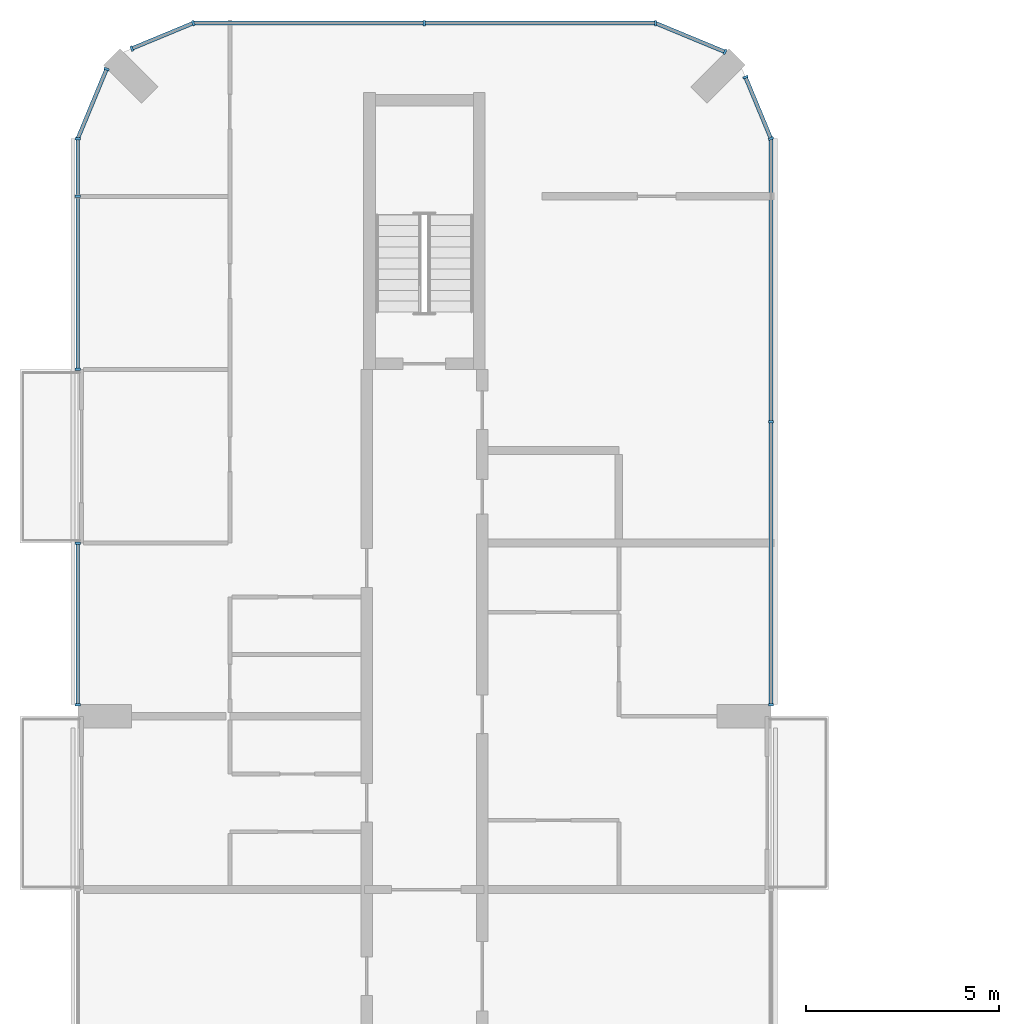
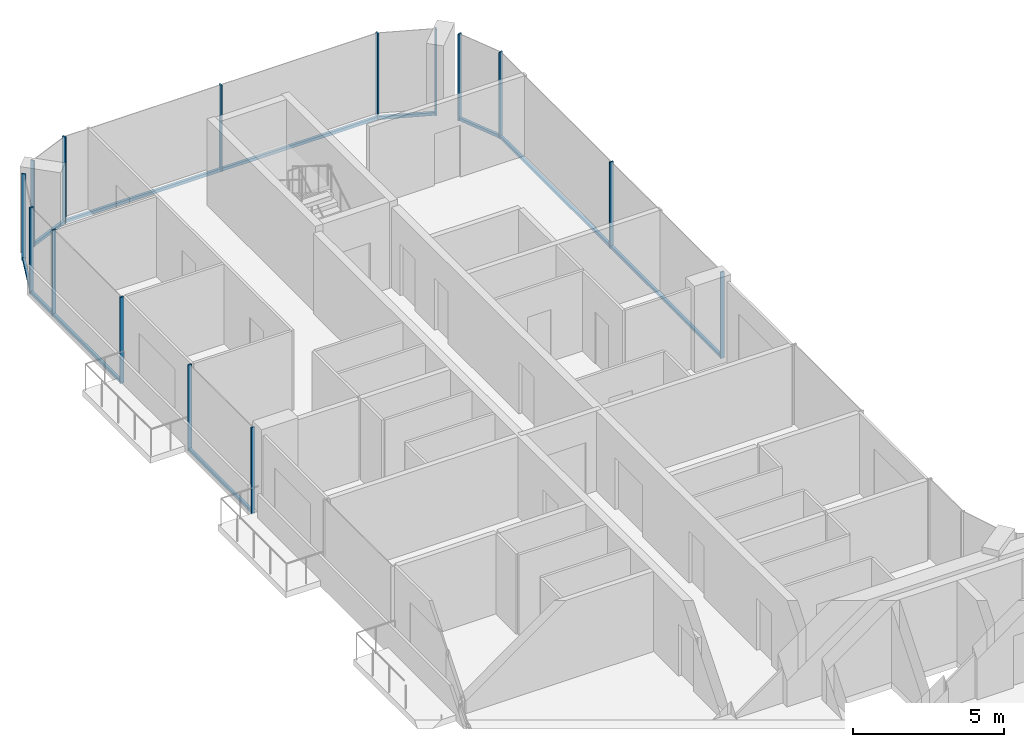
# One storey, part 7 of 16: 23 members, 8 elements without a shape of their own.
"""IFC4 building model written with IfcOpenShell, lengths in metres."""

from ifc_helpers import new_model, si_unit, direction, frame, origin, origin_2d, place, context, subcontext, project, spatial, rectangle, extrude, material, layer, layer_set, material_profile, profile_set, type_object, element, aggregate, save


model = new_model("IFC4")

# Units and contexts
model_context = context("Model", 3, precision=1e-05, world=origin(), true_north=direction((0.0, 1.0)))
body_context = subcontext(model_context, "Body", "Model", "MODEL_VIEW")
ifc_project = project(units=[si_unit("LENGTHUNIT", "METRE"), si_unit("AREAUNIT", "SQUARE_METRE"), si_unit("VOLUMEUNIT", "CUBIC_METRE"), si_unit("PLANEANGLEUNIT", "RADIAN"), si_unit("MASSUNIT", "GRAM", prefix="KILO")], contexts=[model_context])

# Site, building, storey
site_placement = place(None, origin())
site = spatial("IfcSite", under=ifc_project, at=site_placement, CompositionType="ELEMENT")
building_placement = place(site_placement, origin())
building = spatial("IfcBuilding", under=site, at=building_placement, Name="Plateau Cross Towers", CompositionType="ELEMENT")
storey_placement = place(building_placement, frame((0.0, 0.0, 163.89990234375)))
storey = spatial("IfcBuildingStorey", under=building, at=storey_placement, Name="L42", CompositionType="ELEMENT", Elevation=163.89990234375)

# Curtain wall, members
ifc_material_1 = material(Name="Dark low-iron glass", Category="glass")
ifc_layer = layer(ifc_material_1, 0.239990234375)
ifc_layer_set = layer_set([ifc_layer], Name="Dark low-iron glass")
curtain_wall_type = type_object("IfcCurtainWallType", Name="Curtain wall flush unitised CW-B", PredefinedType="NOTDEFINED", material=ifc_layer_set)
curtain_wall_1_placement = place(storey_placement, origin())
curtain_wall_1 = element("IfcCurtainWall", 1, at=curtain_wall_1_placement, inside=storey, type_object=curtain_wall_type, Name="ENV/A/L42/A180_363", PredefinedType="NOTDEFINED")
ifc_material_2 = material(Name="Black anodised aluminium", Category="aluminium")
ifc_material_profile_1 = material_profile(ifc_material_2, rectangle(XDim=0.06005859375, YDim=0.139892578125, at=origin_2d()), Name="MULLION 60x140")
ifc_profile_set_1 = profile_set([ifc_material_profile_1], Name="Black anodised aluminium")
member_type_1 = type_object("IfcMemberType", Name="Mullion 60x140 flush unitised", PredefinedType="MULLION", material=ifc_profile_set_1)
member_1_placement = place(storey_placement, frame((18.0, 36.300048828125, -0.25), z_axis=(0.0, 0.0, 1.0), x_axis=(0.0, 1.0, 0.0)))
member_1 = element("IfcMember", 2, at=member_1_placement, type_object=member_type_1, Name="CW-B mullion 1", PredefinedType="MULLION", context=body_context, shape_type="SweptSolid", body=[
    extrude(rectangle(XDim=0.06005859375, YDim=0.139892578125, at=origin_2d()), origin(), (0.0, 0.0, 1.0), 3.5),
])
member_2_placement = place(storey_placement, frame((18.0, 43.64990234375, -0.25), z_axis=(0.0, 0.0, 1.0), x_axis=(0.0, 1.0, 0.0)))
member_2 = element("IfcMember", 3, at=member_2_placement, type_object=member_type_1, Name="CW-B mullion 2", PredefinedType="MULLION", context=body_context, shape_type="SweptSolid", body=[
    extrude(rectangle(XDim=0.06005859375, YDim=0.139892578125, at=origin_2d()), origin(), (0.0, 0.0, 1.0), 3.5),
])

curtain_wall_2_placement = place(storey_placement, origin())
curtain_wall_2 = element("IfcCurtainWall", 4, at=curtain_wall_2_placement, inside=storey, type_object=curtain_wall_type, Name="ENV/A/L42/A180_510", PredefinedType="NOTDEFINED")
member_3_placement = place(storey_placement, frame((18.0, 51.0, -0.25), z_axis=(0.0, 0.0, 1.0), x_axis=(-0.382683612978, 0.923879457699, 0.0)))
member_3 = element("IfcMember", 5, at=member_3_placement, type_object=member_type_1, Name="CW-B mullion 1", PredefinedType="MULLION", context=body_context, shape_type="SweptSolid", body=[
    extrude(rectangle(XDim=0.06005859375, YDim=0.139892578125, at=origin_2d()), origin(), (0.0, 0.0, 1.0), 3.5),
])
member_4_placement = place(storey_placement, frame((17.338623046875, 52.5966796875, -0.25), z_axis=(0.0, 0.0, 1.0), x_axis=(-0.382683612978, 0.923879457699, 0.0)))
member_4 = element("IfcMember", 6, at=member_4_placement, type_object=member_type_1, Name="CW-B mullion 2", PredefinedType="MULLION", context=body_context, shape_type="SweptSolid", body=[
    extrude(rectangle(XDim=0.06005859375, YDim=0.139892578125, at=origin_2d()), origin(), (0.0, 0.0, 1.0), 3.5),
])

# Curtain wall, member
curtain_wall_3_placement = place(storey_placement, origin())
curtain_wall_3 = element("IfcCurtainWall", 7, at=curtain_wall_3_placement, inside=storey, type_object=curtain_wall_type, Name="ENV/A/L42/A168_533", PredefinedType="NOTDEFINED")
member_5_placement = place(storey_placement, frame((16.805908203125, 53.251953125, -0.25), z_axis=(0.0, 0.0, 1.0), x_axis=(-0.923879457699, 0.382683612978, 0.0)))
member_5 = element("IfcMember", 8, at=member_5_placement, type_object=member_type_1, Name="CW-B mullion 1", PredefinedType="MULLION", context=body_context, shape_type="SweptSolid", body=[
    extrude(rectangle(XDim=0.06005859375, YDim=0.139892578125, at=origin_2d()), origin(), (0.0, 0.0, 1.0), 3.5),
])

# Curtain wall, members
curtain_wall_4_placement = place(storey_placement, origin())
curtain_wall_4 = element("IfcCurtainWall", 9, at=curtain_wall_4_placement, inside=storey, type_object=curtain_wall_type, Name="ENV/A/L42/A150_540", PredefinedType="NOTDEFINED")
member_6_placement = place(storey_placement, frame((15.0, 54.0, -0.25), z_axis=(0.0, 0.0, 1.0), x_axis=(-1.0, 0.0, 0.0)))
member_6 = element("IfcMember", 10, at=member_6_placement, type_object=member_type_1, Name="CW-B mullion 1", PredefinedType="MULLION", context=body_context, shape_type="SweptSolid", body=[
    extrude(rectangle(XDim=0.06005859375, YDim=0.139892578125, at=origin_2d()), origin(), (0.0, 0.0, 1.0), 3.5),
])
member_7_placement = place(storey_placement, frame((9.0, 54.0, -0.25), z_axis=(0.0, 0.0, 1.0), x_axis=(-1.0, 0.0, 0.0)))
member_7 = element("IfcMember", 11, at=member_7_placement, type_object=member_type_1, Name="CW-B mullion 2", PredefinedType="MULLION", context=body_context, shape_type="SweptSolid", body=[
    extrude(rectangle(XDim=0.06005859375, YDim=0.139892578125, at=origin_2d()), origin(), (0.0, 0.0, 1.0), 3.5),
])

curtain_wall_5_placement = place(storey_placement, origin())
curtain_wall_5 = element("IfcCurtainWall", 12, at=curtain_wall_5_placement, inside=storey, type_object=curtain_wall_type, Name="ENV/A/L42/A30_540", PredefinedType="NOTDEFINED")
member_8_placement = place(storey_placement, frame((3.0, 54.0, -0.25), z_axis=(0.0, 0.0, 1.0), x_axis=(-0.923879457699, -0.382683612978, 0.0)))
member_8 = element("IfcMember", 13, at=member_8_placement, type_object=member_type_1, Name="CW-B mullion 1", PredefinedType="MULLION", context=body_context, shape_type="SweptSolid", body=[
    extrude(rectangle(XDim=0.06005859375, YDim=0.139892578125, at=origin_2d()), origin(), (0.0, 0.0, 1.0), 3.5),
])
member_9_placement = place(storey_placement, frame((1.4033203125, 53.338623046875, -0.25), z_axis=(0.0, 0.0, 1.0), x_axis=(-0.923879457699, -0.382683612978, 0.0)))
member_9 = element("IfcMember", 14, at=member_9_placement, type_object=member_type_1, Name="CW-B mullion 2", PredefinedType="MULLION", context=body_context, shape_type="SweptSolid", body=[
    extrude(rectangle(XDim=0.06005859375, YDim=0.139892578125, at=origin_2d()), origin(), (0.0, 0.0, 1.0), 3.5),
])

# Curtain wall, member
curtain_wall_6_placement = place(storey_placement, origin())
curtain_wall_6 = element("IfcCurtainWall", 15, at=curtain_wall_6_placement, inside=storey, type_object=curtain_wall_type, Name="ENV/A/L42/A7_528", PredefinedType="NOTDEFINED")
member_10_placement = place(storey_placement, frame((0.748046875, 52.805908203125, -0.25), z_axis=(0.0, 0.0, 1.0), x_axis=(-0.382683612978, -0.923879457699, 0.0)))
member_10 = element("IfcMember", 16, at=member_10_placement, type_object=member_type_1, Name="CW-B mullion 1", PredefinedType="MULLION", context=body_context, shape_type="SweptSolid", body=[
    extrude(rectangle(XDim=0.06005859375, YDim=0.139892578125, at=origin_2d()), origin(), (0.0, 0.0, 1.0), 3.5),
])

# Curtain wall, members
curtain_wall_7_placement = place(storey_placement, origin())
curtain_wall_7 = element("IfcCurtainWall", 17, at=curtain_wall_7_placement, inside=storey, type_object=curtain_wall_type, Name="ENV/A/L42/A0_510", PredefinedType="NOTDEFINED")
member_11_placement = place(storey_placement, frame((0.0, 51.0, -0.25), z_axis=(0.0, 0.0, 1.0), x_axis=(0.0, -1.0, 0.0)))
member_11 = element("IfcMember", 18, at=member_11_placement, type_object=member_type_1, Name="CW-B mullion 1", PredefinedType="MULLION", context=body_context, shape_type="SweptSolid", body=[
    extrude(rectangle(XDim=0.06005859375, YDim=0.139892578125, at=origin_2d()), origin(), (0.0, 0.0, 1.0), 3.5),
])
member_12_placement = place(storey_placement, frame((0.0, 49.5, -0.25), z_axis=(0.0, 0.0, 1.0), x_axis=(0.0, -1.0, 0.0)))
member_12 = element("IfcMember", 19, at=member_12_placement, type_object=member_type_1, Name="CW-B mullion 2", PredefinedType="MULLION", context=body_context, shape_type="SweptSolid", body=[
    extrude(rectangle(XDim=0.06005859375, YDim=0.139892578125, at=origin_2d()), origin(), (0.0, 0.0, 1.0), 3.5),
])
member_13_placement = place(storey_placement, frame((0.0, 45.010009765625, -0.25), z_axis=(0.0, 0.0, 1.0), x_axis=(0.0, -1.0, 0.0)))
member_13 = element("IfcMember", 20, at=member_13_placement, type_object=member_type_1, Name="CW-B mullion 3", PredefinedType="MULLION", context=body_context, shape_type="SweptSolid", body=[
    extrude(rectangle(XDim=0.06005859375, YDim=0.139892578125, at=origin_2d()), origin(), (0.0, 0.0, 1.0), 3.5),
])

curtain_wall_8_placement = place(storey_placement, origin())
curtain_wall_8 = element("IfcCurtainWall", 21, at=curtain_wall_8_placement, inside=storey, type_object=curtain_wall_type, Name="ENV/A/L42/A0_405", PredefinedType="NOTDEFINED")
member_14_placement = place(storey_placement, frame((0.0, 40.489990234375, -0.25), z_axis=(0.0, 0.0, 1.0), x_axis=(0.0, -1.0, 0.0)))
member_14 = element("IfcMember", 22, at=member_14_placement, type_object=member_type_1, Name="CW-B mullion 1", PredefinedType="MULLION", context=body_context, shape_type="SweptSolid", body=[
    extrude(rectangle(XDim=0.06005859375, YDim=0.139892578125, at=origin_2d()), origin(), (0.0, 0.0, 1.0), 3.5),
])
member_15_placement = place(storey_placement, frame((0.0, 36.300048828125, -0.25), z_axis=(0.0, 0.0, 1.0), x_axis=(0.0, -1.0, 0.0)))
member_15 = element("IfcMember", 23, at=member_15_placement, type_object=member_type_1, Name="CW-B mullion 2", PredefinedType="MULLION", context=body_context, shape_type="SweptSolid", body=[
    extrude(rectangle(XDim=0.06005859375, YDim=0.139892578125, at=origin_2d()), origin(), (0.0, 0.0, 1.0), 3.5),
])

# Member
ifc_material_profile_2 = material_profile(ifc_material_2, rectangle(XDim=0.10009765625, YDim=0.1201171875, at=origin_2d()), Name="TRANSOM 100x120")
ifc_profile_set_2 = profile_set([ifc_material_profile_2], Name="Black anodised aluminium")
member_type_2 = type_object("IfcMemberType", Name="Transom 100x120 flush unitised", PredefinedType="USERDEFINED", material=ifc_profile_set_2)
member_16_placement = place(storey_placement, frame((18.0, 36.300048828125, -0.18994140625), z_axis=(0.0, 1.0, 0.0), x_axis=(-1.0, 0.0, 0.0)))
member_16 = element("IfcMember", 24, at=member_16_placement, type_object=member_type_2, Name="CW-B transom", ObjectType="TRANSOM", PredefinedType="USERDEFINED", context=body_context, shape_type="SweptSolid", body=[
    extrude(rectangle(XDim=0.10009765625, YDim=0.1201171875, at=origin_2d()), origin(), (0.0, 0.0, 1.0), 14.699951171875),
])

aggregate(curtain_wall_1, [member_1, member_2, member_16])

member_17_placement = place(storey_placement, frame((18.0, 51.0, -0.18994140625), z_axis=(-0.382688653628, 0.923877369776, 0.0), x_axis=(-0.923877369776, -0.382688653628, 0.0)))
member_17 = element("IfcMember", 25, at=member_17_placement, type_object=member_type_2, Name="CW-B transom", ObjectType="TRANSOM", PredefinedType="USERDEFINED", context=body_context, shape_type="SweptSolid", body=[
    extrude(rectangle(XDim=0.10009765625, YDim=0.1201171875, at=origin_2d()), origin(), (0.0, 0.0, 1.0), 1.728271484375),
])

aggregate(curtain_wall_2, [member_3, member_4, member_17])

member_18_placement = place(storey_placement, frame((16.805908203125, 53.251953125, -0.18994140625), z_axis=(-0.92387678234, 0.382690071798, 0.0), x_axis=(-0.382690071798, -0.92387678234, 0.0)))
member_18 = element("IfcMember", 26, at=member_18_placement, type_object=member_type_2, Name="CW-B transom", ObjectType="TRANSOM", PredefinedType="USERDEFINED", context=body_context, shape_type="SweptSolid", body=[
    extrude(rectangle(XDim=0.10009765625, YDim=0.1201171875, at=origin_2d()), origin(), (0.0, 0.0, 1.0), 1.95458984375),
])

aggregate(curtain_wall_3, [member_5, member_18])

member_19_placement = place(storey_placement, frame((15.0, 54.0, -0.18994140625), z_axis=(-1.0, 0.0, 0.0), x_axis=(0.0, -1.0, 0.0)))
member_19 = element("IfcMember", 27, at=member_19_placement, type_object=member_type_2, Name="CW-B transom", ObjectType="TRANSOM", PredefinedType="USERDEFINED", context=body_context, shape_type="SweptSolid", body=[
    extrude(rectangle(XDim=0.10009765625, YDim=0.1201171875, at=origin_2d()), origin(), (0.0, 0.0, 1.0), 12.0),
])

aggregate(curtain_wall_4, [member_6, member_7, member_19])

member_20_placement = place(storey_placement, frame((3.0, 54.0, -0.18994140625), z_axis=(-0.923877369776, -0.382688653628, 0.0), x_axis=(0.382688653628, -0.923877369776, 0.0)))
member_20 = element("IfcMember", 28, at=member_20_placement, type_object=member_type_2, Name="CW-B transom", ObjectType="TRANSOM", PredefinedType="USERDEFINED", context=body_context, shape_type="SweptSolid", body=[
    extrude(rectangle(XDim=0.10009765625, YDim=0.1201171875, at=origin_2d()), origin(), (0.0, 0.0, 1.0), 1.728271484375),
])

aggregate(curtain_wall_5, [member_8, member_9, member_20])

member_21_placement = place(storey_placement, frame((0.748046875, 52.805908203125, -0.18994140625), z_axis=(-0.382690071798, -0.92387678234, 0.0), x_axis=(0.92387678234, -0.382690071798, 0.0)))
member_21 = element("IfcMember", 29, at=member_21_placement, type_object=member_type_2, Name="CW-B transom", ObjectType="TRANSOM", PredefinedType="USERDEFINED", context=body_context, shape_type="SweptSolid", body=[
    extrude(rectangle(XDim=0.10009765625, YDim=0.1201171875, at=origin_2d()), origin(), (0.0, 0.0, 1.0), 1.95458984375),
])

aggregate(curtain_wall_6, [member_10, member_21])

member_22_placement = place(storey_placement, frame((0.0, 51.0, -0.18994140625), z_axis=(0.0, -1.0, 0.0), x_axis=(1.0, 0.0, 0.0)))
member_22 = element("IfcMember", 30, at=member_22_placement, type_object=member_type_2, Name="CW-B transom", ObjectType="TRANSOM", PredefinedType="USERDEFINED", context=body_context, shape_type="SweptSolid", body=[
    extrude(rectangle(XDim=0.10009765625, YDim=0.1201171875, at=origin_2d()), origin(), (0.0, 0.0, 1.0), 5.989990234375),
])

aggregate(curtain_wall_7, [member_11, member_12, member_13, member_22])

member_23_placement = place(storey_placement, frame((0.0, 40.489990234375, -0.18994140625), z_axis=(0.0, -1.0, 0.0), x_axis=(1.0, 0.0, 0.0)))
member_23 = element("IfcMember", 31, at=member_23_placement, type_object=member_type_2, Name="CW-B transom", ObjectType="TRANSOM", PredefinedType="USERDEFINED", context=body_context, shape_type="SweptSolid", body=[
    extrude(rectangle(XDim=0.10009765625, YDim=0.1201171875, at=origin_2d()), origin(), (0.0, 0.0, 1.0), 4.18994140625),
])

aggregate(curtain_wall_8, [member_14, member_15, member_23])

save(model, "model.ifc")
